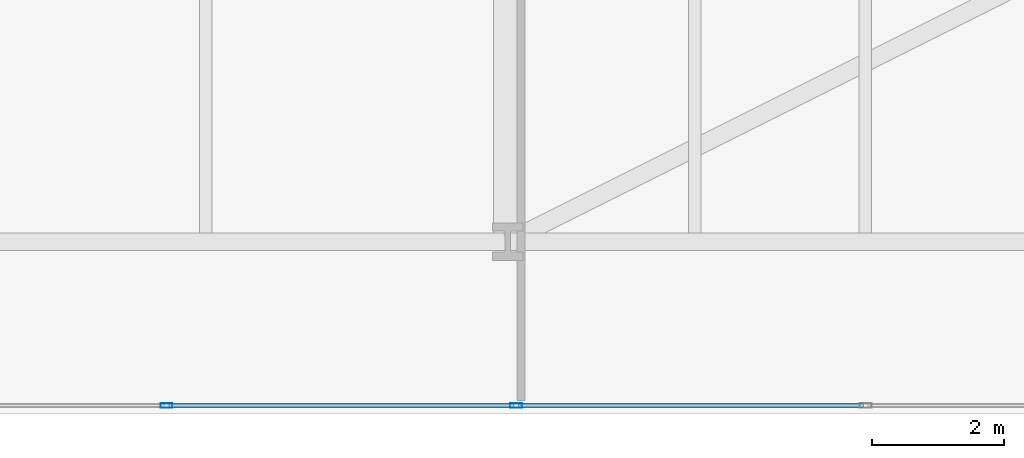
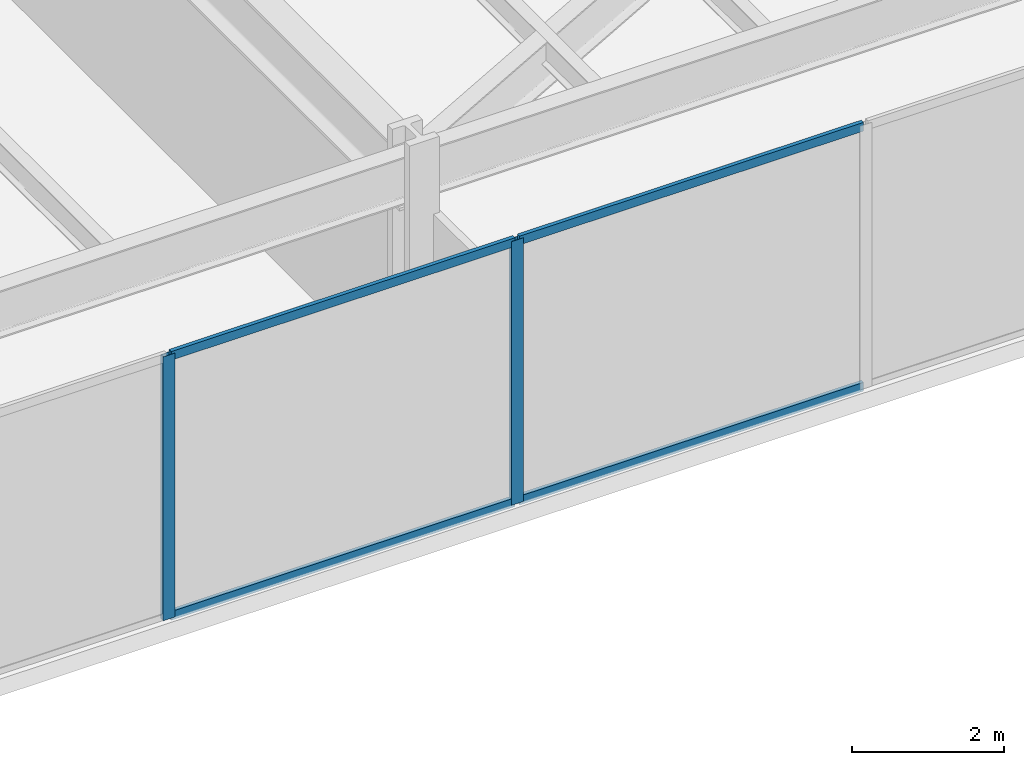
# One storey, part 14 of 28: 6 members, 1 element without a shape of its own.
"""IFC4 building model written with IfcOpenShell, lengths in metres."""

from ifc_helpers import new_model, si_unit, direction, frame, origin, origin_2d, place, context, subcontext, project, spatial, hollow_rectangle, extrude, material, layer, layer_set, material_profile, profile_set, type_object, element, aggregate, save


model = new_model("IFC4")

# Units and contexts
model_context = context("Model", 3, precision=1e-05, world=origin(), true_north=direction((0.0, 1.0)))
body_context = subcontext(model_context, "Body", "Model", "MODEL_VIEW")
ifc_project = project(units=[si_unit("LENGTHUNIT", "METRE"), si_unit("AREAUNIT", "SQUARE_METRE"), si_unit("VOLUMEUNIT", "CUBIC_METRE"), si_unit("PLANEANGLEUNIT", "RADIAN"), si_unit("MASSUNIT", "GRAM", prefix="KILO")], contexts=[model_context])

# Site, building, storey
site_placement = place(None, origin())
site = spatial("IfcSite", under=ifc_project, at=site_placement, CompositionType="ELEMENT")
building_placement = place(site_placement, origin())
building = spatial("IfcBuilding", under=site, at=building_placement, Name="Kravanh Interchange Tower", CompositionType="ELEMENT")
storey_placement = place(building_placement, frame((0.0, 0.0, 10.800048828125)))
storey = spatial("IfcBuildingStorey", under=building, at=storey_placement, Name="L02", CompositionType="ELEMENT", Elevation=10.800048828125)

# Curtain wall, members
ifc_material_1 = material(Name="Anodised Bronze Aluminium", Category="aluminium")
ifc_layer = layer(ifc_material_1, 0.179931640625)
ifc_layer_set = layer_set([ifc_layer], Name="Unitised Curtain Wall System CW-POD Podium Concourse")
curtain_wall_type = type_object("IfcCurtainWallType", Name="Unitised Curtain Wall System CW-POD Podium Concourse", PredefinedType="NOTDEFINED", material=ifc_layer_set)
curtain_wall_placement = place(storey_placement, origin())
curtain_wall = element("IfcCurtainWall", 1, at=curtain_wall_placement, inside=storey, type_object=curtain_wall_type, Name="L02 Unitised Curtain Wall CW-L02-04", PredefinedType="NOTDEFINED")
ifc_material_2 = material(Name="Anodised Bronze Aluminium", Category="aluminium")
ifc_material_profile_1 = material_profile(ifc_material_2, hollow_rectangle(XDim=0.070068359375, YDim=0.179931640625, WallThickness=0.00390625, at=origin_2d()), Name="ALU70X180X4")
ifc_profile_set_1 = profile_set([ifc_material_profile_1], Name="Anodised Bronze Aluminium")
member_type_1 = type_object("IfcMemberType", Name="Curtain Wall Mullion ALU70X180X4 Bronze", PredefinedType="MULLION", material=ifc_profile_set_1)
member_1_placement = place(storey_placement, frame((44.927001953125, 0.1201171875, 0.0), z_axis=(0.0, 0.0, 1.0), x_axis=(0.0, -1.0, 0.0)))
member_1 = element("IfcMember", 2, at=member_1_placement, type_object=member_type_1, Name="CW-POD mullion 6", PredefinedType="MULLION", context=body_context, shape_type="SweptSolid", body=[
    extrude(hollow_rectangle(XDim=0.070068359375, YDim=0.179931640625, WallThickness=0.00390625, at=origin_2d()), origin(), (0.0, 0.0, 1.0), 4.22998046875),
])
member_2_placement = place(storey_placement, frame((39.642333984375, 0.1201171875, 0.0), z_axis=(0.0, 0.0, 1.0), x_axis=(0.0, -1.0, 0.0)))
member_2 = element("IfcMember", 3, at=member_2_placement, type_object=member_type_1, Name="CW-POD mullion 7", PredefinedType="MULLION", context=body_context, shape_type="SweptSolid", body=[
    extrude(hollow_rectangle(XDim=0.070068359375, YDim=0.179931640625, WallThickness=0.00390625, at=origin_2d()), origin(), (0.0, 0.0, 1.0), 4.22998046875),
])
ifc_material_3 = material(Name="Anodised Bronze Aluminium", Category="aluminium")
ifc_material_profile_2 = material_profile(ifc_material_3, hollow_rectangle(XDim=0.06005859375, YDim=0.139892578125, WallThickness=0.00390625, at=origin_2d()), Name="ALU60X140X4")
ifc_profile_set_2 = profile_set([ifc_material_profile_2], Name="Anodised Bronze Aluminium")
member_type_2 = type_object("IfcMemberType", Name="Curtain Wall Transom ALU60X140X4 Bronze", PredefinedType="USERDEFINED", material=ifc_profile_set_2)
member_3_placement = place(storey_placement, frame((50.1767578125, 0.1201171875, 0.030029296875), z_axis=(-1.0, 0.0, 0.0), x_axis=(0.0, -1.0, 0.0)))
member_3 = element("IfcMember", 4, at=member_3_placement, type_object=member_type_2, Name="CW-POD transom 5.1", ObjectType="TRANSOM", PredefinedType="USERDEFINED", context=body_context, shape_type="SweptSolid", body=[
    extrude(hollow_rectangle(XDim=0.06005859375, YDim=0.139892578125, WallThickness=0.00390625, at=origin_2d()), origin(), (0.0, 0.0, 1.0), 5.21484375),
])
member_4_placement = place(storey_placement, frame((50.1767578125, 0.1201171875, 4.199951171875), z_axis=(-1.0, 0.0, 0.0), x_axis=(0.0, -1.0, 0.0)))
member_4 = element("IfcMember", 5, at=member_4_placement, type_object=member_type_2, Name="CW-POD transom 5.2", ObjectType="TRANSOM", PredefinedType="USERDEFINED", context=body_context, shape_type="SweptSolid", body=[
    extrude(hollow_rectangle(XDim=0.06005859375, YDim=0.139892578125, WallThickness=0.00390625, at=origin_2d()), origin(), (0.0, 0.0, 1.0), 5.21484375),
])
member_5_placement = place(storey_placement, frame((44.89208984375, 0.1201171875, 0.030029296875), z_axis=(-1.0, 0.0, 0.0), x_axis=(0.0, -1.0, 0.0)))
member_5 = element("IfcMember", 6, at=member_5_placement, type_object=member_type_2, Name="CW-POD transom 6.1", ObjectType="TRANSOM", PredefinedType="USERDEFINED", context=body_context, shape_type="SweptSolid", body=[
    extrude(hollow_rectangle(XDim=0.06005859375, YDim=0.139892578125, WallThickness=0.00390625, at=origin_2d()), origin(), (0.0, 0.0, 1.0), 5.21484375),
])
member_6_placement = place(storey_placement, frame((44.89208984375, 0.1201171875, 4.199951171875), z_axis=(-1.0, 0.0, 0.0), x_axis=(0.0, -1.0, 0.0)))
member_6 = element("IfcMember", 7, at=member_6_placement, type_object=member_type_2, Name="CW-POD transom 6.2", ObjectType="TRANSOM", PredefinedType="USERDEFINED", context=body_context, shape_type="SweptSolid", body=[
    extrude(hollow_rectangle(XDim=0.06005859375, YDim=0.139892578125, WallThickness=0.00390625, at=origin_2d()), origin(), (0.0, 0.0, 1.0), 5.21484375),
])
aggregate(curtain_wall, [member_1, member_2, member_3, member_4, member_5, member_6])

save(model, "model.ifc")
